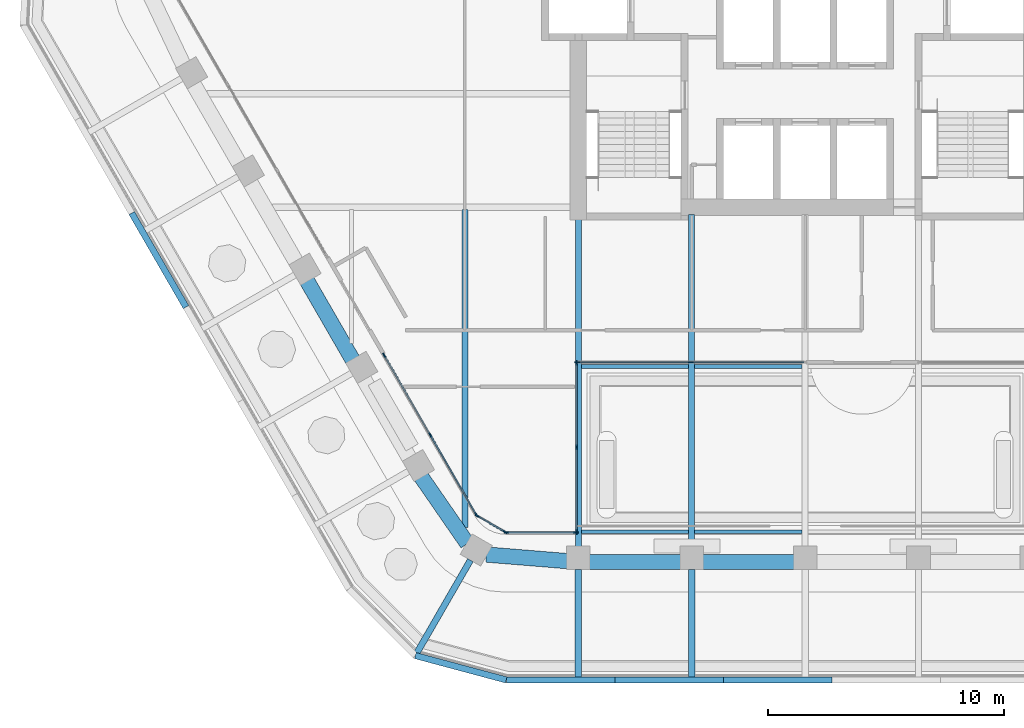
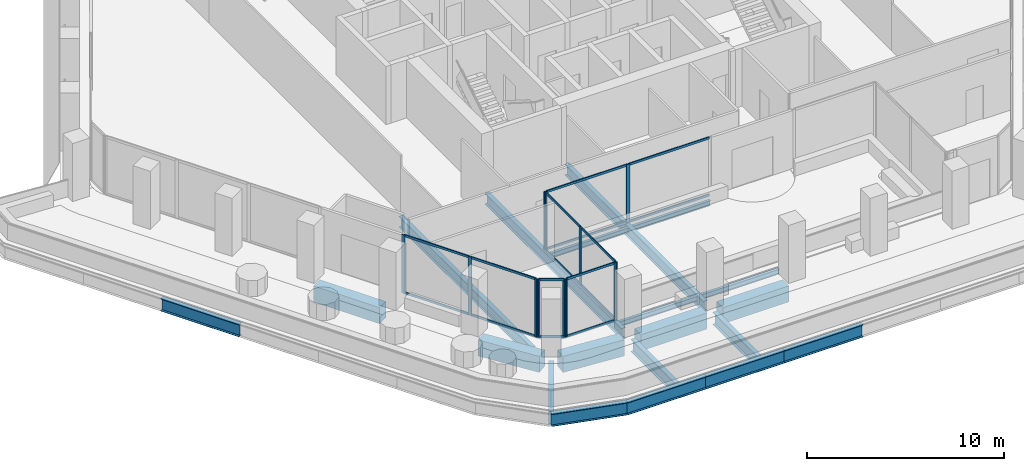
# One storey, part 2 of 18: 28 members, 20 beams, 5 elements without a shape of their own.
"""IFC4 building model written with IfcOpenShell, lengths in metres."""

from ifc_helpers import new_model, si_unit, direction, frame, origin, origin_2d, place, context, subcontext, project, spatial, rectangle, i_section, extrude, material, material_profile, profile_set, type_object, element, aggregate, save


model = new_model("IFC4")

# Units and contexts
model_context = context("Model", 3, precision=1e-05, world=origin(), true_north=direction((0.0, 1.0)))
body_context = subcontext(model_context, "Body", "Model", "MODEL_VIEW")
ifc_project = project(units=[si_unit("LENGTHUNIT", "METRE"), si_unit("AREAUNIT", "SQUARE_METRE"), si_unit("VOLUMEUNIT", "CUBIC_METRE"), si_unit("PLANEANGLEUNIT", "RADIAN"), si_unit("MASSUNIT", "GRAM", prefix="KILO")], contexts=[model_context])

# Site, building, storey
site_placement = place(None, origin())
site = spatial("IfcSite", under=ifc_project, at=site_placement, CompositionType="ELEMENT")
building_placement = place(site_placement, origin())
building = spatial("IfcBuilding", under=site, at=building_placement, Name="Kolab Exchange Tower", CompositionType="ELEMENT")
storey_placement = place(building_placement, frame((0.0, 0.0, 212.89990234375)))
storey = spatial("IfcBuildingStorey", under=building, at=storey_placement, Name="L46", CompositionType="ELEMENT", Elevation=212.89990234375)

# Beams
ifc_material_1 = material(Name="Steel S355", Category="steel")
ifc_material_profile_1 = material_profile(ifc_material_1, i_section(OverallWidth=0.1650390625, OverallDepth=0.31005859375, WebThickness=0.005859375, FlangeThickness=0.009765625, at=origin_2d()), Name="W310X39")
ifc_profile_set_1 = profile_set([ifc_material_profile_1], Name="Steel S355")
beam_type_1 = type_object("IfcBeamType", Name="FLOOR BEAM W310X39", PredefinedType="BEAM", material=ifc_profile_set_1)
for number, where, z_axis, x_axis, name in (
    (1, (-9.472900390625, -23.33642578125, -0.304931640625), (1.0, 0.0, 0.0), (0.0, 1.0, 0.0), "beam/L46/fr/009"),
    (2, (-9.472900390625, -16.346435546875, -0.304931640625), (1.0, 0.0, 0.0), (0.0, 1.0, 0.0), "beam/L46/fr/010"),
):
    element("IfcBeam", number, at=place(storey_placement, frame(where, z_axis=z_axis, x_axis=x_axis)), inside=storey, type_object=beam_type_1, Name=name, PredefinedType="BEAM", context=body_context, shape_type="SweptSolid", body=[
        extrude(i_section(OverallWidth=0.1650390625, OverallDepth=0.31005859375, WebThickness=0.005859375, FlangeThickness=0.009765625, at=origin_2d()), origin(), (0.0, 0.0, 1.0), 4.5458984375),
    ])
for number, where, z_axis, x_axis, name in (
    (3, (-4.673095703125, -23.33642578125, -0.304931640625), (1.0, 0.0, 0.0), (0.0, 1.0, 0.0), "beam/L46/fr/013"),
    (4, (-4.673095703125, -16.346435546875, -0.304931640625), (1.0, 0.0, 0.0), (0.0, 1.0, 0.0), "beam/L46/fr/014"),
):
    element("IfcBeam", number, at=place(storey_placement, frame(where, z_axis=z_axis, x_axis=x_axis)), inside=storey, type_object=beam_type_1, Name=name, PredefinedType="BEAM", context=body_context, shape_type="SweptSolid", body=[
        extrude(i_section(OverallWidth=0.1650390625, OverallDepth=0.31005859375, WebThickness=0.005859375, FlangeThickness=0.009765625, at=origin_2d()), origin(), (0.0, 0.0, 1.0), 4.546142578125),
    ])
ifc_material_profile_2 = material_profile(ifc_material_1, i_section(OverallWidth=0.25390625, OverallDepth=0.68408203125, WebThickness=0.012451171875, FlangeThickness=0.018798828125, at=origin_2d()), Name="W690X140")
ifc_profile_set_2 = profile_set([ifc_material_profile_2], Name="Steel S355")
beam_type_2 = type_object("IfcBeamType", Name="FLOOR BEAM W690X140", PredefinedType="BEAM", material=ifc_profile_set_2)
beam_1_placement = place(storey_placement, frame((-14.39990234375, -23.15576171875, -0.491943359375), z_axis=(0.0, 1.0, 0.0), x_axis=(-1.0, 0.0, 0.0)))
element("IfcBeam", 5, at=beam_1_placement, inside=storey, type_object=beam_type_2, Name="beam/L46/fr/005", PredefinedType="BEAM", context=body_context, shape_type="SweptSolid", body=[
    extrude(i_section(OverallWidth=0.25390625, OverallDepth=0.68408203125, WebThickness=0.012451171875, FlangeThickness=0.018798828125, at=origin_2d()), origin(), (0.0, 0.0, 1.0), 13.462158203125),
])
beam_2_placement = place(storey_placement, frame((-9.60009765625, -23.9814453125, -0.491943359375), z_axis=(0.0, 1.0, 0.0), x_axis=(-1.0, 0.0, 0.0)))
element("IfcBeam", 6, at=beam_2_placement, inside=storey, type_object=beam_type_2, Name="beam/L46/fr/007", PredefinedType="BEAM", context=body_context, shape_type="SweptSolid", body=[
    extrude(i_section(OverallWidth=0.25390625, OverallDepth=0.68408203125, WebThickness=0.012451171875, FlangeThickness=0.018798828125, at=origin_2d()), origin(), (0.0, 0.0, 1.0), 13.871337890625),
])
beam_3_placement = place(storey_placement, frame((-4.800048828125, -23.9814453125, -0.491943359375), z_axis=(0.0, 1.0, 0.0), x_axis=(-1.0, 0.0, 0.0)))
element("IfcBeam", 7, at=beam_3_placement, inside=storey, type_object=beam_type_2, Name="beam/L46/fr/011", PredefinedType="BEAM", context=body_context, shape_type="SweptSolid", body=[
    extrude(i_section(OverallWidth=0.25390625, OverallDepth=0.68408203125, WebThickness=0.012451171875, FlangeThickness=0.018798828125, at=origin_2d()), origin(), (0.0, 0.0, 1.0), 14.071533203125),
])
ifc_material_profile_3 = material_profile(ifc_material_1, i_section(OverallWidth=0.26708984375, OverallDepth=0.761962890625, WebThickness=0.014404296875, FlangeThickness=0.021484375, at=origin_2d()), Name="W760X173")
ifc_profile_set_3 = profile_set([ifc_material_profile_3], Name="Steel S355")
beam_type_3 = type_object("IfcBeamType", Name="FLOOR GIRDER W760X173", PredefinedType="BEAM", material=ifc_profile_set_3)
for number, where, z_axis, x_axis, name in (
    (8, (-4.800048828125, -24.94140625, -0.5908203125), (0.0, -1.0, 0.0), (1.0, 0.0, 0.0), "beam/L46/ledge/rib-04"),
    (9, (-9.60009765625, -24.94140625, -0.5908203125), (0.0, -1.0, 0.0), (1.0, 0.0, 0.0), "beam/L46/ledge/rib-05"),
):
    element("IfcBeam", number, at=place(storey_placement, frame(where, z_axis=z_axis, x_axis=x_axis)), inside=storey, type_object=beam_type_3, Name=name, PredefinedType="BEAM", context=body_context, shape_type="SweptSolid", body=[
        extrude(i_section(OverallWidth=0.26708984375, OverallDepth=0.761962890625, WebThickness=0.014404296875, FlangeThickness=0.021484375, at=origin_2d()), origin(), (0.0, 0.0, 1.0), 4.533203125),
    ])
beam_4_placement = place(storey_placement, frame((-14.16796875, -24.53955078125, -0.5908203125), z_axis=(-0.499967994467, -0.866043881399, 0.0), x_axis=(0.866043881399, -0.499967994467, 0.0)))
element("IfcBeam", 10, at=beam_4_placement, inside=storey, type_object=beam_type_3, Name="beam/L46/ledge/rib-06", PredefinedType="BEAM", context=body_context, shape_type="SweptSolid", body=[
    extrude(i_section(OverallWidth=0.26708984375, OverallDepth=0.761962890625, WebThickness=0.014404296875, FlangeThickness=0.021484375, at=origin_2d()), origin(), (0.0, 0.0, 1.0), 4.532958984375),
])
beam_5_placement = place(storey_placement, frame((1.130615234375, -29.60791015625, -0.5908203125), z_axis=(-1.0, 0.0, 0.0), x_axis=(0.0, -1.0, 0.0)))
element("IfcBeam", 11, at=beam_5_placement, inside=storey, type_object=beam_type_3, Name="beam/L46/ledge/edge-04", PredefinedType="BEAM", context=body_context, shape_type="SweptSolid", body=[
    extrude(i_section(OverallWidth=0.26708984375, OverallDepth=0.761962890625, WebThickness=0.014404296875, FlangeThickness=0.021484375, at=origin_2d()), origin(), (0.0, 0.0, 1.0), 4.593505859375),
])
for number, where, z_axis, x_axis, name in (
    (12, (-3.462890625, -29.60791015625, -0.5908203125), (-1.0, 0.0, 0.0), (0.0, -1.0, 0.0), "beam/L46/ledge/edge-05"),
    (13, (-8.056640625, -29.60791015625, -0.5908203125), (-1.0, 0.0, 0.0), (0.0, -1.0, 0.0), "beam/L46/ledge/edge-06"),
):
    element("IfcBeam", number, at=place(storey_placement, frame(where, z_axis=z_axis, x_axis=x_axis)), inside=storey, type_object=beam_type_3, Name=name, PredefinedType="BEAM", context=body_context, shape_type="SweptSolid", body=[
        extrude(i_section(OverallWidth=0.26708984375, OverallDepth=0.761962890625, WebThickness=0.014404296875, FlangeThickness=0.021484375, at=origin_2d()), origin(), (0.0, 0.0, 1.0), 4.59375),
    ])
beam_6_placement = place(storey_placement, frame((-12.650390625, -29.60791015625, -0.5908203125), z_axis=(-0.965936290682, 0.258779988299, 0.0), x_axis=(-0.258779988299, -0.965936290682, 0.0)))
element("IfcBeam", 14, at=beam_6_placement, inside=storey, type_object=beam_type_3, Name="beam/L46/ledge/edge-07", PredefinedType="BEAM", context=body_context, shape_type="SweptSolid", body=[
    extrude(i_section(OverallWidth=0.26708984375, OverallDepth=0.761962890625, WebThickness=0.014404296875, FlangeThickness=0.021484375, at=origin_2d()), origin(), (0.0, 0.0, 1.0), 3.984130859375),
])
beam_7_placement = place(storey_placement, frame((-26.20654296875, -13.82470703125, -0.5908203125), z_axis=(-0.500003083703, 0.8660236234, 0.0), x_axis=(-0.8660236234, -0.500003083703, 0.0)))
element("IfcBeam", 15, at=beam_7_placement, inside=storey, type_object=beam_type_3, Name="beam/L46/ledge/edge-12", PredefinedType="BEAM", context=body_context, shape_type="SweptSolid", body=[
    extrude(i_section(OverallWidth=0.26708984375, OverallDepth=0.761962890625, WebThickness=0.014404296875, FlangeThickness=0.021484375, at=origin_2d()), origin(), (0.0, 0.0, 1.0), 4.59375),
])
ifc_material_2 = material(Name="Concrete C60/75", Category="concrete")
ifc_material_profile_4 = material_profile(ifc_material_2, rectangle(XDim=0.64990234375, YDim=1.0, at=origin_2d()), Name="RC650X1000")
ifc_profile_set_4 = profile_set([ifc_material_profile_4], Name="Concrete C60/75")
beam_type_4 = type_object("IfcBeamType", Name="SPANDREL BEAM 650X1000 C60/75", PredefinedType="BEAM", material=ifc_profile_set_4)
beam_8_placement = place(storey_placement, frame((-0.4599609375, -24.616455078125, -0.64990234375), z_axis=(-1.0, 0.0, 0.0), x_axis=(0.0, -1.0, 0.0)))
element("IfcBeam", 16, at=beam_8_placement, inside=storey, type_object=beam_type_4, Name="beam/L46/sp/F4-04", PredefinedType="BEAM", context=body_context, shape_type="SweptSolid", body=[
    extrude(rectangle(XDim=0.64990234375, YDim=1.0, at=origin_2d()), origin(), (0.0, 0.0, 1.0), 3.880126953125),
])
beam_9_placement = place(storey_placement, frame((-5.260009765625, -24.616455078125, -0.64990234375), z_axis=(-1.0, 0.0, 0.0), x_axis=(0.0, -1.0, 0.0)))
element("IfcBeam", 17, at=beam_9_placement, inside=storey, type_object=beam_type_4, Name="beam/L46/sp/F4-05", PredefinedType="BEAM", context=body_context, shape_type="SweptSolid", body=[
    extrude(rectangle(XDim=0.64990234375, YDim=1.0, at=origin_2d()), origin(), (0.0, 0.0, 1.0), 3.8798828125),
])
for number, where, z_axis, x_axis, name in (
    (18, (-10.06005859375, -24.5791015625, -0.64990234375), (-0.996708497182, 0.081068931445, 0.0), (-0.081068931445, -0.996708497182, 0.0), "beam/L46/sp/F4-06"),
    (19, (-14.29736328125, -23.8359375, -0.64990234375), (-0.568572281073, 0.822633309073, 0.0), (-0.822633309073, -0.568572281073, 0.0), "beam/L46/sp/F5-01"),
):
    element("IfcBeam", number, at=place(storey_placement, frame(where, z_axis=z_axis, x_axis=x_axis)), inside=storey, type_object=beam_type_4, Name=name, PredefinedType="BEAM", context=body_context, shape_type="SweptSolid", body=[
        extrude(rectangle(XDim=0.64990234375, YDim=1.0, at=origin_2d()), origin(), (0.0, 0.0, 1.0), 3.445068359375),
    ])
beam_10_placement = place(storey_placement, frame((-19.1484375, -16.06689453125, -0.64990234375), z_axis=(-0.50001655835, 0.866015843605, 0.0), x_axis=(-0.866015843605, -0.50001655835, 0.0)))
element("IfcBeam", 20, at=beam_10_placement, inside=storey, type_object=beam_type_4, Name="beam/L46/sp/F5-03", PredefinedType="BEAM", context=body_context, shape_type="SweptSolid", body=[
    extrude(rectangle(XDim=0.64990234375, YDim=1.0, at=origin_2d()), origin(), (0.0, 0.0, 1.0), 3.880126953125),
])

# Curtain wall, members
ifc_material_3 = material(Name="Aluminium EN AW-6063 T6", Category="aluminium")
curtain_wall_type = type_object("IfcCurtainWallType", Name="UNITISED UPPER MID ZONE CURTAIN WALL", PredefinedType="NOTDEFINED", material=ifc_material_3)
curtain_wall_1_placement = place(storey_placement, origin())
curtain_wall_1 = element("IfcCurtainWall", 21, at=curtain_wall_1_placement, inside=storey, type_object=curtain_wall_type, Name="cw/L46/F4-back-2", PredefinedType="NOTDEFINED")
ifc_material_profile_5 = material_profile(ifc_material_3, rectangle(XDim=0.06005859375, YDim=0.199951171875, at=origin_2d()), Name="RECT 60X200")
ifc_profile_set_5 = profile_set([ifc_material_profile_5], Name="Aluminium EN AW-6063 T6")
member_type_1 = type_object("IfcMemberType", Name="UNITISED UPPER MID ZONE MULLION 60 X 200", PredefinedType="MULLION", material=ifc_profile_set_5)
member_1_placement = place(storey_placement, frame((-4.840087890625, -16.16162109375, 0.0), z_axis=(0.0, 0.0, 1.0), x_axis=(0.0, -1.0, 0.0)))
member_1 = element("IfcMember", 22, at=member_1_placement, type_object=member_type_1, Name="CW3 mullion 2", PredefinedType="MULLION", context=body_context, shape_type="SweptSolid", body=[
    extrude(rectangle(XDim=0.06005859375, YDim=0.199951171875, at=origin_2d()), origin(), (0.0, 0.0, 1.0), 3.60009765625),
])
member_2_placement = place(storey_placement, frame((-9.64990234375, -16.16162109375, 0.0), z_axis=(0.0, 0.0, 1.0), x_axis=(0.0, -1.0, 0.0)))
member_2 = element("IfcMember", 23, at=member_2_placement, type_object=member_type_1, Name="CW3 mullion 3", PredefinedType="MULLION", context=body_context, shape_type="SweptSolid", body=[
    extrude(rectangle(XDim=0.06005859375, YDim=0.199951171875, at=origin_2d()), origin(), (0.0, 0.0, 1.0), 3.60009765625),
])

curtain_wall_2_placement = place(storey_placement, origin())
curtain_wall_2 = element("IfcCurtainWall", 24, at=curtain_wall_2_placement, inside=storey, type_object=curtain_wall_type, Name="cw/L46/F4-rr-1", PredefinedType="NOTDEFINED")
member_3_placement = place(storey_placement, frame((-9.679931640625, -16.191650390625, 0.0), z_axis=(0.0, 0.0, 1.0), x_axis=(1.0, 0.0, 0.0)))
member_3 = element("IfcMember", 25, at=member_3_placement, type_object=member_type_1, Name="CW3 mullion 1", PredefinedType="MULLION", context=body_context, shape_type="SweptSolid", body=[
    extrude(rectangle(XDim=0.06005859375, YDim=0.199951171875, at=origin_2d()), origin(), (0.0, 0.0, 1.0), 3.60009765625),
])
member_4_placement = place(storey_placement, frame((-9.679931640625, -19.761474609375, 0.0), z_axis=(0.0, 0.0, 1.0), x_axis=(1.0, 0.0, 0.0)))
member_4 = element("IfcMember", 26, at=member_4_placement, type_object=member_type_1, Name="CW3 mullion 2", PredefinedType="MULLION", context=body_context, shape_type="SweptSolid", body=[
    extrude(rectangle(XDim=0.06005859375, YDim=0.199951171875, at=origin_2d()), origin(), (0.0, 0.0, 1.0), 3.60009765625),
])
member_5_placement = place(storey_placement, frame((-9.679931640625, -23.33154296875, 0.0), z_axis=(0.0, 0.0, 1.0), x_axis=(1.0, 0.0, 0.0)))
member_5 = element("IfcMember", 27, at=member_5_placement, type_object=member_type_1, Name="CW3 mullion 3", PredefinedType="MULLION", context=body_context, shape_type="SweptSolid", body=[
    extrude(rectangle(XDim=0.06005859375, YDim=0.199951171875, at=origin_2d()), origin(), (0.0, 0.0, 1.0), 3.60009765625),
])

curtain_wall_3_placement = place(storey_placement, origin())
curtain_wall_3 = element("IfcCurtainWall", 28, at=curtain_wall_3_placement, inside=storey, type_object=curtain_wall_type, Name="cw/L46/F4-r-1", PredefinedType="NOTDEFINED")
member_6_placement = place(storey_placement, frame((-9.7099609375, -23.361572265625, 0.0), z_axis=(0.0, 0.0, 1.0), x_axis=(0.0, -1.0, 0.0)))
member_6 = element("IfcMember", 29, at=member_6_placement, type_object=member_type_1, Name="CW3 mullion 1", PredefinedType="MULLION", context=body_context, shape_type="SweptSolid", body=[
    extrude(rectangle(XDim=0.06005859375, YDim=0.199951171875, at=origin_2d()), origin(), (0.0, 0.0, 1.0), 3.60009765625),
])
member_7_placement = place(storey_placement, frame((-12.637939453125, -23.361572265625, 0.0), z_axis=(0.0, 0.0, 1.0), x_axis=(0.0, -1.0, 0.0)))
member_7 = element("IfcMember", 30, at=member_7_placement, type_object=member_type_1, Name="CW3 mullion 2", PredefinedType="MULLION", context=body_context, shape_type="SweptSolid", body=[
    extrude(rectangle(XDim=0.06005859375, YDim=0.199951171875, at=origin_2d()), origin(), (0.0, 0.0, 1.0), 3.60009765625),
])

curtain_wall_4_placement = place(storey_placement, origin())
curtain_wall_4 = element("IfcCurtainWall", 31, at=curtain_wall_4_placement, inside=storey, type_object=curtain_wall_type, Name="cw/L46/F5-1", PredefinedType="NOTDEFINED")
member_8_placement = place(storey_placement, frame((-13.91259765625, -22.62548828125, 0.0), z_axis=(0.0, 0.0, 1.0), x_axis=(-0.866025385493, -0.500000031681, 0.0)))
member_8 = element("IfcMember", 32, at=member_8_placement, type_object=member_type_1, Name="CW3 mullion 1", PredefinedType="MULLION", context=body_context, shape_type="SweptSolid", body=[
    extrude(rectangle(XDim=0.06005859375, YDim=0.199951171875, at=origin_2d()), origin(), (0.0, 0.0, 1.0), 3.60009765625),
])
member_9_placement = place(storey_placement, frame((-15.86474609375, -19.24462890625, 0.0), z_axis=(0.0, 0.0, 1.0), x_axis=(-0.866025385493, -0.500000031681, 0.0)))
member_9 = element("IfcMember", 33, at=member_9_placement, type_object=member_type_1, Name="CW3 mullion 2", PredefinedType="MULLION", context=body_context, shape_type="SweptSolid", body=[
    extrude(rectangle(XDim=0.06005859375, YDim=0.199951171875, at=origin_2d()), origin(), (0.0, 0.0, 1.0), 3.60009765625),
])
member_10_placement = place(storey_placement, frame((-17.816650390625, -15.86376953125, 0.0), z_axis=(0.0, 0.0, 1.0), x_axis=(-0.866025385493, -0.500000031681, 0.0)))
member_10 = element("IfcMember", 34, at=member_10_placement, type_object=member_type_1, Name="CW3 mullion 3", PredefinedType="MULLION", context=body_context, shape_type="SweptSolid", body=[
    extrude(rectangle(XDim=0.06005859375, YDim=0.199951171875, at=origin_2d()), origin(), (0.0, 0.0, 1.0), 3.60009765625),
])

curtain_wall_5_placement = place(storey_placement, origin())
curtain_wall_5 = element("IfcCurtainWall", 35, at=curtain_wall_5_placement, inside=storey, type_object=curtain_wall_type, Name="cw/L46/F4F5-corner", PredefinedType="NOTDEFINED")
member_11_placement = place(storey_placement, frame((-12.69384765625, -23.346435546875, 0.0), z_axis=(0.0, 0.0, 1.0), x_axis=(-0.50000002237, -0.866025390869, 0.0)))
member_11 = element("IfcMember", 36, at=member_11_placement, type_object=member_type_1, Name="CW3 mullion 1", PredefinedType="MULLION", context=body_context, shape_type="SweptSolid", body=[
    extrude(rectangle(XDim=0.06005859375, YDim=0.199951171875, at=origin_2d()), origin(), (0.0, 0.0, 1.0), 3.60009765625),
])
member_12_placement = place(storey_placement, frame((-13.871826171875, -22.66650390625, 0.0), z_axis=(0.0, 0.0, 1.0), x_axis=(-0.50000002237, -0.866025390869, 0.0)))
member_12 = element("IfcMember", 37, at=member_12_placement, type_object=member_type_1, Name="CW3 mullion 2", PredefinedType="MULLION", context=body_context, shape_type="SweptSolid", body=[
    extrude(rectangle(XDim=0.06005859375, YDim=0.199951171875, at=origin_2d()), origin(), (0.0, 0.0, 1.0), 3.60009765625),
])

# Member
ifc_material_profile_6 = material_profile(ifc_material_3, rectangle(XDim=0.06005859375, YDim=0.139892578125, at=origin_2d()), Name="RECT 60X140")
ifc_profile_set_6 = profile_set([ifc_material_profile_6], Name="Aluminium EN AW-6063 T6")
member_type_2 = type_object("IfcMemberType", Name="UNITISED UPPER MID ZONE TRANSOM 60 X 140", PredefinedType="USERDEFINED", material=ifc_profile_set_6)
member_13_placement = place(storey_placement, frame((-0.06005859375, -16.16162109375, 0.030029296875), z_axis=(-1.0, 0.0, 0.0), x_axis=(0.0, -1.0, 0.0)))
member_13 = element("IfcMember", 38, at=member_13_placement, type_object=member_type_2, Name="CW3 transom 1.1", ObjectType="TRANSOM", PredefinedType="USERDEFINED", context=body_context, shape_type="SweptSolid", body=[
    extrude(rectangle(XDim=0.06005859375, YDim=0.139892578125, at=origin_2d()), origin(), (0.0, 0.0, 1.0), 4.75),
])

member_14_placement = place(storey_placement, frame((-0.06005859375, -16.16162109375, 3.570068359375), z_axis=(-1.0, 0.0, 0.0), x_axis=(0.0, -1.0, 0.0)))
member_14 = element("IfcMember", 39, at=member_14_placement, type_object=member_type_2, Name="CW3 transom 1.2", ObjectType="TRANSOM", PredefinedType="USERDEFINED", context=body_context, shape_type="SweptSolid", body=[
    extrude(rectangle(XDim=0.06005859375, YDim=0.139892578125, at=origin_2d()), origin(), (0.0, 0.0, 1.0), 4.75),
])

member_15_placement = place(storey_placement, frame((-4.8701171875, -16.16162109375, 0.030029296875), z_axis=(-1.0, 0.0, 0.0), x_axis=(0.0, -1.0, 0.0)))
member_15 = element("IfcMember", 40, at=member_15_placement, type_object=member_type_2, Name="CW3 transom 2.1", ObjectType="TRANSOM", PredefinedType="USERDEFINED", context=body_context, shape_type="SweptSolid", body=[
    extrude(rectangle(XDim=0.06005859375, YDim=0.139892578125, at=origin_2d()), origin(), (0.0, 0.0, 1.0), 4.75),
])

member_16_placement = place(storey_placement, frame((-4.8701171875, -16.16162109375, 3.570068359375), z_axis=(-1.0, 0.0, 0.0), x_axis=(0.0, -1.0, 0.0)))
member_16 = element("IfcMember", 41, at=member_16_placement, type_object=member_type_2, Name="CW3 transom 2.2", ObjectType="TRANSOM", PredefinedType="USERDEFINED", context=body_context, shape_type="SweptSolid", body=[
    extrude(rectangle(XDim=0.06005859375, YDim=0.139892578125, at=origin_2d()), origin(), (0.0, 0.0, 1.0), 4.75),
])

aggregate(curtain_wall_1, [member_1, member_2, member_13, member_14, member_15, member_16])

member_17_placement = place(storey_placement, frame((-9.679931640625, -16.221435546875, 0.030029296875), z_axis=(0.0, -1.0, 0.0), x_axis=(1.0, 0.0, 0.0)))
member_17 = element("IfcMember", 42, at=member_17_placement, type_object=member_type_2, Name="CW3 transom 1.1", ObjectType="TRANSOM", PredefinedType="USERDEFINED", context=body_context, shape_type="SweptSolid", body=[
    extrude(rectangle(XDim=0.06005859375, YDim=0.139892578125, at=origin_2d()), origin(), (0.0, 0.0, 1.0), 3.510009765625),
])

member_18_placement = place(storey_placement, frame((-9.679931640625, -16.221435546875, 3.570068359375), z_axis=(0.0, -1.0, 0.0), x_axis=(1.0, 0.0, 0.0)))
member_18 = element("IfcMember", 43, at=member_18_placement, type_object=member_type_2, Name="CW3 transom 1.2", ObjectType="TRANSOM", PredefinedType="USERDEFINED", context=body_context, shape_type="SweptSolid", body=[
    extrude(rectangle(XDim=0.06005859375, YDim=0.139892578125, at=origin_2d()), origin(), (0.0, 0.0, 1.0), 3.510009765625),
])

member_19_placement = place(storey_placement, frame((-9.679931640625, -19.79150390625, 0.030029296875), z_axis=(0.0, -1.0, 0.0), x_axis=(1.0, 0.0, 0.0)))
member_19 = element("IfcMember", 44, at=member_19_placement, type_object=member_type_2, Name="CW3 transom 2.1", ObjectType="TRANSOM", PredefinedType="USERDEFINED", context=body_context, shape_type="SweptSolid", body=[
    extrude(rectangle(XDim=0.06005859375, YDim=0.139892578125, at=origin_2d()), origin(), (0.0, 0.0, 1.0), 3.510009765625),
])

member_20_placement = place(storey_placement, frame((-9.679931640625, -19.79150390625, 3.570068359375), z_axis=(0.0, -1.0, 0.0), x_axis=(1.0, 0.0, 0.0)))
member_20 = element("IfcMember", 45, at=member_20_placement, type_object=member_type_2, Name="CW3 transom 2.2", ObjectType="TRANSOM", PredefinedType="USERDEFINED", context=body_context, shape_type="SweptSolid", body=[
    extrude(rectangle(XDim=0.06005859375, YDim=0.139892578125, at=origin_2d()), origin(), (0.0, 0.0, 1.0), 3.510009765625),
])

aggregate(curtain_wall_2, [member_3, member_4, member_5, member_17, member_18, member_19, member_20])

member_21_placement = place(storey_placement, frame((-9.739990234375, -23.361572265625, 0.030029296875), z_axis=(-1.0, 0.0, 0.0), x_axis=(0.0, -1.0, 0.0)))
member_21 = element("IfcMember", 46, at=member_21_placement, type_object=member_type_2, Name="CW3 transom 1.1", ObjectType="TRANSOM", PredefinedType="USERDEFINED", context=body_context, shape_type="SweptSolid", body=[
    extrude(rectangle(XDim=0.06005859375, YDim=0.139892578125, at=origin_2d()), origin(), (0.0, 0.0, 1.0), 2.867919921875),
])

member_22_placement = place(storey_placement, frame((-9.739990234375, -23.361572265625, 3.570068359375), z_axis=(-1.0, 0.0, 0.0), x_axis=(0.0, -1.0, 0.0)))
member_22 = element("IfcMember", 47, at=member_22_placement, type_object=member_type_2, Name="CW3 transom 1.2", ObjectType="TRANSOM", PredefinedType="USERDEFINED", context=body_context, shape_type="SweptSolid", body=[
    extrude(rectangle(XDim=0.06005859375, YDim=0.139892578125, at=origin_2d()), origin(), (0.0, 0.0, 1.0), 2.867919921875),
])

aggregate(curtain_wall_3, [member_6, member_7, member_21, member_22])

member_23_placement = place(storey_placement, frame((-13.927734375, -22.599609375, 0.030029296875), z_axis=(-0.499964356602, 0.866045981532, 0.0), x_axis=(-0.866045981532, -0.499964356602, 0.0)))
member_23 = element("IfcMember", 48, at=member_23_placement, type_object=member_type_2, Name="CW3 transom 1.1", ObjectType="TRANSOM", PredefinedType="USERDEFINED", context=body_context, shape_type="SweptSolid", body=[
    extrude(rectangle(XDim=0.06005859375, YDim=0.139892578125, at=origin_2d()), origin(), (0.0, 0.0, 1.0), 3.843994140625),
])

member_24_placement = place(storey_placement, frame((-13.927734375, -22.599609375, 3.570068359375), z_axis=(-0.499964356602, 0.866045981532, 0.0), x_axis=(-0.866045981532, -0.499964356602, 0.0)))
member_24 = element("IfcMember", 49, at=member_24_placement, type_object=member_type_2, Name="CW3 transom 1.2", ObjectType="TRANSOM", PredefinedType="USERDEFINED", context=body_context, shape_type="SweptSolid", body=[
    extrude(rectangle(XDim=0.06005859375, YDim=0.139892578125, at=origin_2d()), origin(), (0.0, 0.0, 1.0), 3.843994140625),
])

member_25_placement = place(storey_placement, frame((-15.879638671875, -19.21875, 0.030029296875), z_axis=(-0.500011990396, 0.866018481016, 0.0), x_axis=(-0.866018481016, -0.500011990396, 0.0)))
member_25 = element("IfcMember", 50, at=member_25_placement, type_object=member_type_2, Name="CW3 transom 2.1", ObjectType="TRANSOM", PredefinedType="USERDEFINED", context=body_context, shape_type="SweptSolid", body=[
    extrude(rectangle(XDim=0.06005859375, YDim=0.139892578125, at=origin_2d()), origin(), (0.0, 0.0, 1.0), 3.84423828125),
])

member_26_placement = place(storey_placement, frame((-15.879638671875, -19.21875, 3.570068359375), z_axis=(-0.500011990396, 0.866018481016, 0.0), x_axis=(-0.866018481016, -0.500011990396, 0.0)))
member_26 = element("IfcMember", 51, at=member_26_placement, type_object=member_type_2, Name="CW3 transom 2.2", ObjectType="TRANSOM", PredefinedType="USERDEFINED", context=body_context, shape_type="SweptSolid", body=[
    extrude(rectangle(XDim=0.06005859375, YDim=0.139892578125, at=origin_2d()), origin(), (0.0, 0.0, 1.0), 3.84423828125),
])

aggregate(curtain_wall_4, [member_8, member_9, member_10, member_23, member_24, member_25, member_26])

member_27_placement = place(storey_placement, frame((-12.719970703125, -23.33154296875, 0.030029296875), z_axis=(-0.86603858612, 0.49997716683, 0.0), x_axis=(-0.49997716683, -0.86603858612, 0.0)))
member_27 = element("IfcMember", 52, at=member_27_placement, type_object=member_type_2, Name="CW3 transom 1.1", ObjectType="TRANSOM", PredefinedType="USERDEFINED", context=body_context, shape_type="SweptSolid", body=[
    extrude(rectangle(XDim=0.06005859375, YDim=0.139892578125, at=origin_2d()), origin(), (0.0, 0.0, 1.0), 1.2998046875),
])

member_28_placement = place(storey_placement, frame((-12.719970703125, -23.33154296875, 3.570068359375), z_axis=(-0.86603858612, 0.49997716683, 0.0), x_axis=(-0.49997716683, -0.86603858612, 0.0)))
member_28 = element("IfcMember", 53, at=member_28_placement, type_object=member_type_2, Name="CW3 transom 1.2", ObjectType="TRANSOM", PredefinedType="USERDEFINED", context=body_context, shape_type="SweptSolid", body=[
    extrude(rectangle(XDim=0.06005859375, YDim=0.139892578125, at=origin_2d()), origin(), (0.0, 0.0, 1.0), 1.2998046875),
])

aggregate(curtain_wall_5, [member_11, member_12, member_27, member_28])

save(model, "model.ifc")
